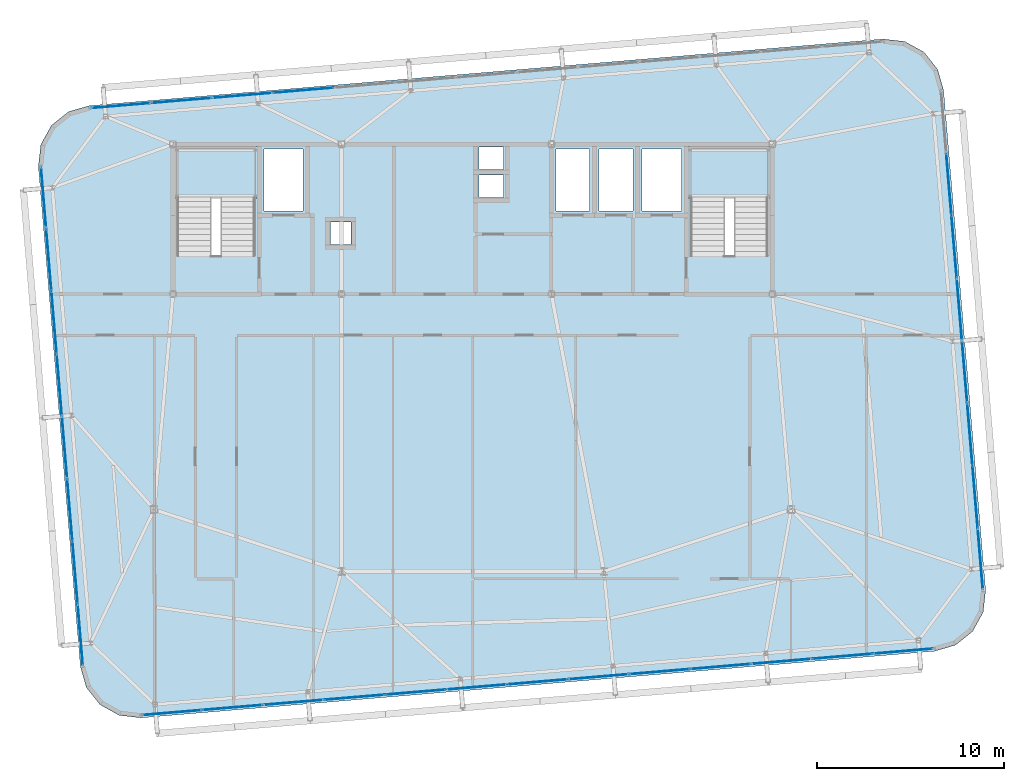
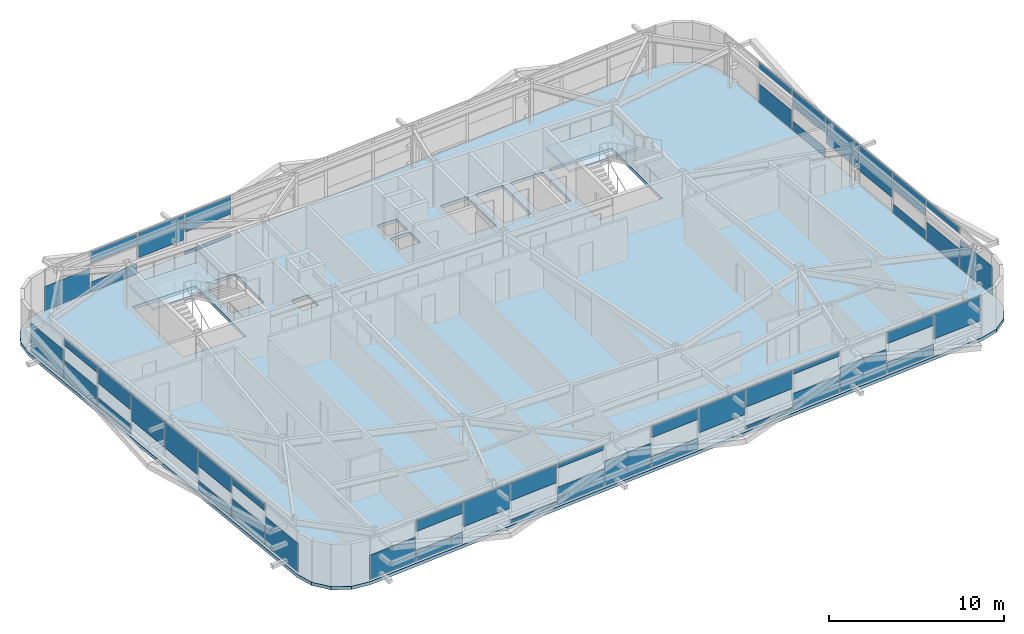
# One storey, part 32 of 46: 49 plates, 3 slabs, 6 elements without a shape of their own.
"""IFC4 building model written with IfcOpenShell, lengths in metres."""

from ifc_helpers import new_model, si_unit, direction, frame, origin, origin_2d, place, context, subcontext, project, spatial, polyline, rectangle, outline, extrude, source, transform, mapped, material, layer, layer_set, type_object, element, aggregate, save


model = new_model("IFC4")

# Units and contexts
model_context = context("Model", 3, precision=1e-05, world=origin(), true_north=direction((0.0, 1.0)))
body_context = subcontext(model_context, "Body", "Model", "MODEL_VIEW")
ifc_project = project(units=[si_unit("LENGTHUNIT", "METRE"), si_unit("AREAUNIT", "SQUARE_METRE"), si_unit("VOLUMEUNIT", "CUBIC_METRE"), si_unit("PLANEANGLEUNIT", "RADIAN"), si_unit("MASSUNIT", "GRAM", prefix="KILO")], contexts=[model_context])

# Site, building, storey
site_placement = place(None, origin())
site = spatial("IfcSite", under=ifc_project, at=site_placement, CompositionType="ELEMENT")
building_placement = place(site_placement, origin())
building = spatial("IfcBuilding", under=site, at=building_placement, Name="Taldren Reach Tower", CompositionType="ELEMENT")
storey_placement = place(building_placement, frame((0.0, 0.0, 194.60009765625)))
storey = spatial("IfcBuildingStorey", under=building, at=storey_placement, Name="L59", CompositionType="ELEMENT", Elevation=194.60009765625)

# Slab
ifc_material_1 = material(Name="Concrete N40 (40 MPa)", Category="concrete")
ifc_layer_1 = layer(ifc_material_1, 0.219970703125)
ifc_layer_set_1 = layer_set([ifc_layer_1], Name="Concrete N40 (40 MPa)")
slab_type_1 = type_object("IfcSlabType", Name="SL-FLR-220", PredefinedType="FLOOR", material=ifc_layer_set_1)
slab_1_placement = place(storey_placement, frame((0.0, 0.0, -0.22021484375)))
element("IfcSlab", 1, at=slab_1_placement, inside=storey, type_object=slab_type_1, Name="Suspended floor slab L59", PredefinedType="FLOOR", context=body_context, shape_type="SweptSolid", body=[
    extrude(outline(polyline([(59.647705078125, 4.935791015625), (60.772705078125, 5.25927734375), (61.688232421875, 5.98876953125), (62.254638671875, 7.012939453125), (62.38623046875, 8.17626953125), (60.1435546875, 34.882080078125), (59.820068359375, 36.007080078125), (59.090576171875, 36.922607421875), (58.06640625, 37.4892578125), (56.903076171875, 37.62060546875), (14.55224609375, 34.064208984375), (13.42724609375, 33.74072265625), (12.511962890625, 33.01123046875), (11.9453125, 31.987060546875), (11.813720703125, 30.82373046875), (14.056396484375, 4.117919921875), (14.3798828125, 2.992919921875), (15.109375, 2.077392578125), (16.1337890625, 1.5107421875), (17.296875, 1.37939453125), (59.647705078125, 4.935791015625)]), holes=[polyline([(19.219970703125, 26.050048828125), (23.3798828125, 26.050048828125), (23.3798828125, 31.820068359375), (19.219970703125, 31.820068359375), (19.219970703125, 26.050048828125)]), polyline([(46.6201171875, 26.050048828125), (50.780029296875, 26.050048828125), (50.780029296875, 31.820068359375), (46.6201171875, 31.820068359375), (46.6201171875, 26.050048828125)]), polyline([(23.85009765625, 28.449951171875), (25.949951171875, 28.449951171875), (25.949951171875, 31.75), (23.85009765625, 31.75), (23.85009765625, 28.449951171875)]), polyline([(44.050048828125, 28.449951171875), (46.14990234375, 28.449951171875), (46.14990234375, 31.75), (44.050048828125, 31.75), (44.050048828125, 28.449951171875)]), polyline([(39.449951171875, 28.449951171875), (41.25, 28.449951171875), (41.25, 31.75), (39.449951171875, 31.75), (39.449951171875, 28.449951171875)]), polyline([(41.75, 28.449951171875), (43.550048828125, 28.449951171875), (43.550048828125, 31.75), (41.75, 31.75), (41.75, 28.449951171875)]), polyline([(35.35009765625, 30.64990234375), (36.64990234375, 30.64990234375), (36.64990234375, 31.85009765625), (35.35009765625, 31.85009765625), (35.35009765625, 30.64990234375)]), polyline([(35.35009765625, 29.14990234375), (36.64990234375, 29.14990234375), (36.64990234375, 30.35009765625), (35.35009765625, 30.35009765625), (35.35009765625, 29.14990234375)]), polyline([(27.39990234375, 26.64990234375), (28.5, 26.64990234375), (28.5, 27.85009765625), (27.39990234375, 27.85009765625), (27.39990234375, 26.64990234375)])]), origin(), (0.0, 0.0, 1.0), 0.22021484375),
])

# Stair, slab
ifc_material_2 = material(Name="Concrete S50 (50 MPa)", Category="concrete")
stair_type = type_object("IfcStairType", Name="ST-HT-315", PredefinedType="HALF_TURN_STAIR", material=ifc_material_2)
stair_1_placement = place(storey_placement, origin())
stair_1 = element("IfcStair", 2, at=stair_1_placement, inside=storey, type_object=stair_type, Name="Fire-isolated exit stair ST1 L59", PredefinedType="HALF_TURN_STAIR")
ifc_layer_2 = layer(ifc_material_2, 0.179931640625)
ifc_layer_set_2 = layer_set([ifc_layer_2], Name="Concrete S50 (50 MPa)")
slab_type_2 = type_object("IfcSlabType", Name="SL-LAND-180", PredefinedType="LANDING", material=ifc_layer_set_2)
slab_2_placement = place(storey_placement, frame((0.0, 0.0, 1.39501953125)))
slab_2 = element("IfcSlab", 3, at=slab_2_placement, type_object=slab_type_2, Name="ST1 landing 1", PredefinedType="LANDING", context=body_context, shape_type="SweptSolid", body=[
    extrude(outline(polyline([(19.0400390625, 29.135009765625), (23.56005859375, 29.135009765625), (23.56005859375, 31.8701171875), (19.0400390625, 31.8701171875), (19.0400390625, 29.135009765625)])), origin(), (0.0, 0.0, 1.0), 0.179931640625),
])
aggregate(stair_1, [slab_2])

stair_2_placement = place(storey_placement, origin())
stair_2 = element("IfcStair", 4, at=stair_2_placement, inside=storey, type_object=stair_type, Name="Fire-isolated exit stair ST2 L59", PredefinedType="HALF_TURN_STAIR")
slab_3_placement = place(storey_placement, frame((0.0, 0.0, 1.39501953125)))
slab_3 = element("IfcSlab", 5, at=slab_3_placement, type_object=slab_type_2, Name="ST2 landing 1", PredefinedType="LANDING", context=body_context, shape_type="SweptSolid", body=[
    extrude(outline(polyline([(46.43994140625, 29.135009765625), (50.9599609375, 29.135009765625), (50.9599609375, 31.8701171875), (46.43994140625, 31.8701171875), (46.43994140625, 29.135009765625)])), origin(), (0.0, 0.0, 1.0), 0.179931640625),
])
aggregate(stair_2, [slab_3])

# Curtain wall, plates
ifc_material_3 = material(Name="Aluminium and Low-E Glass Unitised System", Category="aluminium")
ifc_layer_3 = layer(ifc_material_3, 0.159912109375)
ifc_layer_set_3 = layer_set([ifc_layer_3], Name="Aluminium and Low-E Glass Unitised System")
curtain_wall_type = type_object("IfcCurtainWallType", Name="CW-SYS-5", PredefinedType="NOTDEFINED", material=ifc_layer_set_3)
curtain_wall_1_placement = place(storey_placement, origin())
curtain_wall_1 = element("IfcCurtainWall", 6, at=curtain_wall_1_placement, inside=storey, type_object=curtain_wall_type, Name="Unitised curtain wall CW-L59-S", PredefinedType="NOTDEFINED")
ifc_material_4 = material(Name="Acoustic Triple-Laminated IGU", Category="glass")
ifc_layer_4 = layer(ifc_material_4, 0.035888671875)
ifc_layer_set_4 = layer_set([ifc_layer_4], Name="Acoustic Triple-Laminated IGU")
plate_type = type_object("IfcPlateType", Name="CW-PNL-IGU36", PredefinedType="CURTAIN_PANEL", material=ifc_layer_set_4)
shared_shape_1 = source(origin(), body_context, "Body", "SweptSolid", [
    extrude(rectangle(XDim=3.164306640625, YDim=0.035888671875, at=origin_2d()), origin(), (0.0, 0.0, 1.0), 1.734130859375),
])
plate_1_placement = place(storey_placement, frame((57.98974609375, 4.93701171875, 1.1357421875), z_axis=(0.0, 0.0, 1.0), x_axis=(0.996492854922, 0.083677894865, 0.0)))
plate_1 = element("IfcPlate", 7, at=plate_1_placement, type_object=plate_type, Name="CW-5 panel 13.1 part 1", PredefinedType="CURTAIN_PANEL", context=body_context, shape_type="MappedRepresentation", body=[
    mapped(shared_shape_1, transform((0.0, 0.0, 0.0), scale=1.0)),
])
shared_shape_2 = source(origin(), body_context, "Body", "SweptSolid", [
    extrude(rectangle(XDim=3.19921875, YDim=0.035888671875, at=origin_2d()), origin(), (0.0, 0.0, 1.0), 0.711181640625),
])
plate_2_placement = place(storey_placement, frame((54.74951171875, 4.664794921875, 0.06005859375), z_axis=(0.0, 0.0, 1.0), x_axis=(0.996492854922, 0.083677894865, 0.0)))
plate_2 = element("IfcPlate", 8, at=plate_2_placement, type_object=plate_type, Name="CW-5 panel 12.1 part 1", PredefinedType="CURTAIN_PANEL", context=body_context, shape_type="MappedRepresentation", body=[
    mapped(shared_shape_2, transform((0.0, 0.0, 0.0), scale=1.0)),
])
shared_shape_3 = source(origin(), body_context, "Body", "SweptSolid", [
    extrude(rectangle(XDim=3.19921875, YDim=0.035888671875, at=origin_2d()), origin(), (0.0, 0.0, 1.0), 0.762939453125),
])
plate_3_placement = place(storey_placement, frame((54.74951171875, 4.664794921875, 2.10693359375), z_axis=(0.0, 0.0, 1.0), x_axis=(0.996492854922, 0.083677894865, 0.0)))
plate_3 = element("IfcPlate", 9, at=plate_3_placement, type_object=plate_type, Name="CW-5 panel 12.1 part 2", PredefinedType="CURTAIN_PANEL", context=body_context, shape_type="MappedRepresentation", body=[
    mapped(shared_shape_3, transform((0.0, 0.0, 0.0), scale=1.0)),
])
shared_shape_4 = source(origin(), body_context, "Body", "SweptSolid", [
    extrude(rectangle(XDim=3.19921875, YDim=0.035888671875, at=origin_2d()), origin(), (0.0, 0.0, 1.0), 1.682373046875),
])
plate_4_placement = place(storey_placement, frame((51.49169921875, 4.391357421875, 0.06005859375), z_axis=(0.0, 0.0, 1.0), x_axis=(0.996492854922, 0.083677894865, 0.0)))
plate_4 = element("IfcPlate", 10, at=plate_4_placement, type_object=plate_type, Name="CW-5 panel 11.1 part 1", PredefinedType="CURTAIN_PANEL", context=body_context, shape_type="MappedRepresentation", body=[
    mapped(shared_shape_4, transform((0.0, 0.0, 0.0), scale=1.0)),
])
shared_shape_5 = source(origin(), body_context, "Body", "SweptSolid", [
    extrude(rectangle(XDim=3.19921875, YDim=0.035888671875, at=origin_2d()), origin(), (0.0, 0.0, 1.0), 1.190673828125),
])
plate_5_placement = place(storey_placement, frame((48.23388671875, 4.11767578125, 0.06005859375), z_axis=(0.0, 0.0, 1.0), x_axis=(0.996492854922, 0.083677894865, 0.0)))
plate_5 = element("IfcPlate", 11, at=plate_5_placement, type_object=plate_type, Name="CW-5 panel 10.1 part 1", PredefinedType="CURTAIN_PANEL", context=body_context, shape_type="MappedRepresentation", body=[
    mapped(shared_shape_5, transform((0.0, 0.0, 0.0), scale=1.0)),
])
shared_shape_6 = source(origin(), body_context, "Body", "SweptSolid", [
    extrude(rectangle(XDim=3.19921875, YDim=0.035888671875, at=origin_2d()), origin(), (0.0, 0.0, 1.0), 0.283447265625),
])
plate_6_placement = place(storey_placement, frame((48.23388671875, 4.11767578125, 2.58642578125), z_axis=(0.0, 0.0, 1.0), x_axis=(0.996492854922, 0.083677894865, 0.0)))
plate_6 = element("IfcPlate", 12, at=plate_6_placement, type_object=plate_type, Name="CW-5 panel 10.1 part 2", PredefinedType="CURTAIN_PANEL", context=body_context, shape_type="MappedRepresentation", body=[
    mapped(shared_shape_6, transform((0.0, 0.0, 0.0), scale=1.0)),
])
shared_shape_7 = source(origin(), body_context, "Body", "SweptSolid", [
    extrude(rectangle(XDim=3.19921875, YDim=0.035888671875, at=origin_2d()), origin(), (0.0, 0.0, 1.0), 0.219482421875),
])
plate_7_placement = place(storey_placement, frame((44.97607421875, 3.84423828125, 0.06005859375), z_axis=(0.0, 0.0, 1.0), x_axis=(0.996492854922, 0.083677894865, 0.0)))
plate_7 = element("IfcPlate", 13, at=plate_7_placement, type_object=plate_type, Name="CW-5 panel 9.1 part 1", PredefinedType="CURTAIN_PANEL", context=body_context, shape_type="MappedRepresentation", body=[
    mapped(shared_shape_7, transform((0.0, 0.0, 0.0), scale=1.0)),
])
shared_shape_8 = source(origin(), body_context, "Body", "SweptSolid", [
    extrude(rectangle(XDim=3.19921875, YDim=0.035888671875, at=origin_2d()), origin(), (0.0, 0.0, 1.0), 1.254638671875),
])
plate_8_placement = place(storey_placement, frame((44.97607421875, 3.84423828125, 1.615234375), z_axis=(0.0, 0.0, 1.0), x_axis=(0.996492854922, 0.083677894865, 0.0)))
plate_8 = element("IfcPlate", 14, at=plate_8_placement, type_object=plate_type, Name="CW-5 panel 9.1 part 2", PredefinedType="CURTAIN_PANEL", context=body_context, shape_type="MappedRepresentation", body=[
    mapped(shared_shape_8, transform((0.0, 0.0, 0.0), scale=1.0)),
])
shared_shape_9 = source(origin(), body_context, "Body", "SweptSolid", [
    extrude(rectangle(XDim=3.19921875, YDim=0.035888671875, at=origin_2d()), origin(), (0.0, 0.0, 1.0), 1.73828125),
])
plate_9_placement = place(storey_placement, frame((41.71826171875, 3.570556640625, 1.131591796875), z_axis=(0.0, 0.0, 1.0), x_axis=(0.996492854922, 0.083677894865, 0.0)))
plate_9 = element("IfcPlate", 15, at=plate_9_placement, type_object=plate_type, Name="CW-5 panel 8.1 part 1", PredefinedType="CURTAIN_PANEL", context=body_context, shape_type="MappedRepresentation", body=[
    mapped(shared_shape_9, transform((0.0, 0.0, 0.0), scale=1.0)),
])
shared_shape_10 = source(origin(), body_context, "Body", "SweptSolid", [
    extrude(rectangle(XDim=3.19921875, YDim=0.035888671875, at=origin_2d()), origin(), (0.0, 0.0, 1.0), 0.70703125),
])
plate_10_placement = place(storey_placement, frame((38.460693359375, 3.297119140625, 0.059814453125), z_axis=(0.0, 0.0, 1.0), x_axis=(0.996492854922, 0.083677894865, 0.0)))
plate_10 = element("IfcPlate", 16, at=plate_10_placement, type_object=plate_type, Name="CW-5 panel 7.1 part 1", PredefinedType="CURTAIN_PANEL", context=body_context, shape_type="MappedRepresentation", body=[
    mapped(shared_shape_10, transform((0.0, 0.0, 0.0), scale=1.0)),
])
shared_shape_11 = source(origin(), body_context, "Body", "SweptSolid", [
    extrude(rectangle(XDim=3.19921875, YDim=0.035888671875, at=origin_2d()), origin(), (0.0, 0.0, 1.0), 0.76708984375),
])
plate_11_placement = place(storey_placement, frame((38.460693359375, 3.297119140625, 2.102783203125), z_axis=(0.0, 0.0, 1.0), x_axis=(0.996492854922, 0.083677894865, 0.0)))
plate_11 = element("IfcPlate", 17, at=plate_11_placement, type_object=plate_type, Name="CW-5 panel 7.1 part 2", PredefinedType="CURTAIN_PANEL", context=body_context, shape_type="MappedRepresentation", body=[
    mapped(shared_shape_11, transform((0.0, 0.0, 0.0), scale=1.0)),
])
shared_shape_12 = source(origin(), body_context, "Body", "SweptSolid", [
    extrude(rectangle(XDim=3.19921875, YDim=0.035888671875, at=origin_2d()), origin(), (0.0, 0.0, 1.0), 1.67822265625),
])
plate_12_placement = place(storey_placement, frame((35.202880859375, 3.0234375, 0.059814453125), z_axis=(0.0, 0.0, 1.0), x_axis=(0.996492854922, 0.083677894865, 0.0)))
plate_12 = element("IfcPlate", 18, at=plate_12_placement, type_object=plate_type, Name="CW-5 panel 6.1 part 1", PredefinedType="CURTAIN_PANEL", context=body_context, shape_type="MappedRepresentation", body=[
    mapped(shared_shape_12, transform((0.0, 0.0, 0.0), scale=1.0)),
])
shared_shape_13 = source(origin(), body_context, "Body", "SweptSolid", [
    extrude(rectangle(XDim=3.19921875, YDim=0.035888671875, at=origin_2d()), origin(), (0.0, 0.0, 1.0), 1.194580078125),
])
plate_13_placement = place(storey_placement, frame((31.945068359375, 2.75, 0.06005859375), z_axis=(0.0, 0.0, 1.0), x_axis=(0.996492854922, 0.083677894865, 0.0)))
plate_13 = element("IfcPlate", 19, at=plate_13_placement, type_object=plate_type, Name="CW-5 panel 5.1 part 1", PredefinedType="CURTAIN_PANEL", context=body_context, shape_type="MappedRepresentation", body=[
    mapped(shared_shape_13, transform((0.0, 0.0, 0.0), scale=1.0)),
])
shared_shape_14 = source(origin(), body_context, "Body", "SweptSolid", [
    extrude(rectangle(XDim=3.19921875, YDim=0.035888671875, at=origin_2d()), origin(), (0.0, 0.0, 1.0), 0.279296875),
])
plate_14_placement = place(storey_placement, frame((31.945068359375, 2.75, 2.590576171875), z_axis=(0.0, 0.0, 1.0), x_axis=(0.996492854922, 0.083677894865, 0.0)))
plate_14 = element("IfcPlate", 20, at=plate_14_placement, type_object=plate_type, Name="CW-5 panel 5.1 part 2", PredefinedType="CURTAIN_PANEL", context=body_context, shape_type="MappedRepresentation", body=[
    mapped(shared_shape_14, transform((0.0, 0.0, 0.0), scale=1.0)),
])
shared_shape_15 = source(origin(), body_context, "Body", "SweptSolid", [
    extrude(rectangle(XDim=3.19921875, YDim=0.035888671875, at=origin_2d()), origin(), (0.0, 0.0, 1.0), 0.223388671875),
])
plate_15_placement = place(storey_placement, frame((28.687255859375, 2.476318359375, 0.06005859375), z_axis=(0.0, 0.0, 1.0), x_axis=(0.996492854922, 0.083677894865, 0.0)))
plate_15 = element("IfcPlate", 21, at=plate_15_placement, type_object=plate_type, Name="CW-5 panel 4.1 part 1", PredefinedType="CURTAIN_PANEL", context=body_context, shape_type="MappedRepresentation", body=[
    mapped(shared_shape_15, transform((0.0, 0.0, 0.0), scale=1.0)),
])

# Curtain wall, plate
curtain_wall_2_placement = place(storey_placement, origin())
curtain_wall_2 = element("IfcCurtainWall", 22, at=curtain_wall_2_placement, inside=storey, type_object=curtain_wall_type, Name="Unitised curtain wall CW-L59-N", PredefinedType="NOTDEFINED")
plate_16_placement = place(storey_placement, frame((25.966064453125, 34.88232421875, 0.06005859375), z_axis=(0.0, 0.0, 1.0), x_axis=(-0.99649285657, -0.083677875247, 0.0)))
plate_16 = element("IfcPlate", 23, at=plate_16_placement, type_object=plate_type, Name="CW-5 panel 10.1 part 1", PredefinedType="CURTAIN_PANEL", context=body_context, shape_type="MappedRepresentation", body=[
    mapped(shared_shape_15, transform((0.0, 0.0, 0.0), scale=1.0)),
])

# Plate
shared_shape_16 = source(origin(), body_context, "Body", "SweptSolid", [
    extrude(rectangle(XDim=3.19921875, YDim=0.035888671875, at=origin_2d()), origin(), (0.0, 0.0, 1.0), 1.25048828125),
])
plate_17_placement = place(storey_placement, frame((28.687255859375, 2.476318359375, 1.619384765625), z_axis=(0.0, 0.0, 1.0), x_axis=(0.996492854922, 0.083677894865, 0.0)))
plate_17 = element("IfcPlate", 24, at=plate_17_placement, type_object=plate_type, Name="CW-5 panel 4.1 part 2", PredefinedType="CURTAIN_PANEL", context=body_context, shape_type="MappedRepresentation", body=[
    mapped(shared_shape_16, transform((0.0, 0.0, 0.0), scale=1.0)),
])

plate_18_placement = place(storey_placement, frame((25.966064453125, 34.88232421875, 1.619384765625), z_axis=(0.0, 0.0, 1.0), x_axis=(-0.99649285657, -0.083677875247, 0.0)))
plate_18 = element("IfcPlate", 25, at=plate_18_placement, type_object=plate_type, Name="CW-5 panel 10.1 part 2", PredefinedType="CURTAIN_PANEL", context=body_context, shape_type="MappedRepresentation", body=[
    mapped(shared_shape_16, transform((0.0, 0.0, 0.0), scale=1.0)),
])

shared_shape_17 = source(origin(), body_context, "Body", "SweptSolid", [
    extrude(rectangle(XDim=3.19921875, YDim=0.035888671875, at=origin_2d()), origin(), (0.0, 0.0, 1.0), 1.742431640625),
])
plate_19_placement = place(storey_placement, frame((25.429443359375, 2.202880859375, 1.12744140625), z_axis=(0.0, 0.0, 1.0), x_axis=(0.996492854922, 0.083677894865, 0.0)))
plate_19 = element("IfcPlate", 26, at=plate_19_placement, type_object=plate_type, Name="CW-5 panel 3.1 part 1", PredefinedType="CURTAIN_PANEL", context=body_context, shape_type="MappedRepresentation", body=[
    mapped(shared_shape_17, transform((0.0, 0.0, 0.0), scale=1.0)),
])

plate_20_placement = place(storey_placement, frame((22.708251953125, 34.608642578125, 1.12744140625), z_axis=(0.0, 0.0, 1.0), x_axis=(-0.99649285657, -0.083677875247, 0.0)))
plate_20 = element("IfcPlate", 27, at=plate_20_placement, type_object=plate_type, Name="CW-5 panel 11.1 part 1", PredefinedType="CURTAIN_PANEL", context=body_context, shape_type="MappedRepresentation", body=[
    mapped(shared_shape_17, transform((0.0, 0.0, 0.0), scale=1.0)),
])

shared_shape_18 = source(origin(), body_context, "Body", "SweptSolid", [
    extrude(rectangle(XDim=3.19921875, YDim=0.035888671875, at=origin_2d()), origin(), (0.0, 0.0, 1.0), 0.702880859375),
])
plate_21_placement = place(storey_placement, frame((22.171875, 1.92919921875, 0.06005859375), z_axis=(0.0, 0.0, 1.0), x_axis=(0.996492854922, 0.083677894865, 0.0)))
plate_21 = element("IfcPlate", 28, at=plate_21_placement, type_object=plate_type, Name="CW-5 panel 2.1 part 1", PredefinedType="CURTAIN_PANEL", context=body_context, shape_type="MappedRepresentation", body=[
    mapped(shared_shape_18, transform((0.0, 0.0, 0.0), scale=1.0)),
])

plate_22_placement = place(storey_placement, frame((19.45068359375, 34.335205078125, 0.06005859375), z_axis=(0.0, 0.0, 1.0), x_axis=(-0.99649285657, -0.083677875247, 0.0)))
plate_22 = element("IfcPlate", 29, at=plate_22_placement, type_object=plate_type, Name="CW-5 panel 12.1 part 1", PredefinedType="CURTAIN_PANEL", context=body_context, shape_type="MappedRepresentation", body=[
    mapped(shared_shape_18, transform((0.0, 0.0, 0.0), scale=1.0)),
])

shared_shape_19 = source(origin(), body_context, "Body", "SweptSolid", [
    extrude(rectangle(XDim=3.19921875, YDim=0.035888671875, at=origin_2d()), origin(), (0.0, 0.0, 1.0), 0.771240234375),
])
plate_23_placement = place(storey_placement, frame((22.171875, 1.92919921875, 2.0986328125), z_axis=(0.0, 0.0, 1.0), x_axis=(0.996492854922, 0.083677894865, 0.0)))
plate_23 = element("IfcPlate", 30, at=plate_23_placement, type_object=plate_type, Name="CW-5 panel 2.1 part 2", PredefinedType="CURTAIN_PANEL", context=body_context, shape_type="MappedRepresentation", body=[
    mapped(shared_shape_19, transform((0.0, 0.0, 0.0), scale=1.0)),
])

plate_24_placement = place(storey_placement, frame((19.45068359375, 34.335205078125, 2.0986328125), z_axis=(0.0, 0.0, 1.0), x_axis=(-0.99649285657, -0.083677875247, 0.0)))
plate_24 = element("IfcPlate", 31, at=plate_24_placement, type_object=plate_type, Name="CW-5 panel 12.1 part 2", PredefinedType="CURTAIN_PANEL", context=body_context, shape_type="MappedRepresentation", body=[
    mapped(shared_shape_19, transform((0.0, 0.0, 0.0), scale=1.0)),
])

shared_shape_20 = source(origin(), body_context, "Body", "SweptSolid", [
    extrude(rectangle(XDim=3.164306640625, YDim=0.035888671875, at=origin_2d()), origin(), (0.0, 0.0, 1.0), 1.674072265625),
])
plate_25_placement = place(storey_placement, frame((18.931396484375, 1.6572265625, 0.06005859375), z_axis=(0.0, 0.0, 1.0), x_axis=(0.996492854922, 0.083677894865, 0.0)))
plate_25 = element("IfcPlate", 32, at=plate_25_placement, type_object=plate_type, Name="CW-5 panel 1.1 part 1", PredefinedType="CURTAIN_PANEL", context=body_context, shape_type="MappedRepresentation", body=[
    mapped(shared_shape_20, transform((0.0, 0.0, 0.0), scale=1.0)),
])

aggregate(curtain_wall_1, [plate_25, plate_21, plate_23, plate_19, plate_15, plate_17, plate_13, plate_14, plate_12, plate_10, plate_11, plate_9, plate_7, plate_8, plate_5, plate_6, plate_4, plate_2, plate_3, plate_1])

plate_26_placement = place(storey_placement, frame((16.210205078125, 34.06298828125, 0.06005859375), z_axis=(0.0, 0.0, 1.0), x_axis=(-0.99649285657, -0.083677875247, 0.0)))
plate_26 = element("IfcPlate", 33, at=plate_26_placement, type_object=plate_type, Name="CW-5 panel 13.1 part 1", PredefinedType="CURTAIN_PANEL", context=body_context, shape_type="MappedRepresentation", body=[
    mapped(shared_shape_20, transform((0.0, 0.0, 0.0), scale=1.0)),
])

aggregate(curtain_wall_2, [plate_16, plate_18, plate_20, plate_22, plate_24, plate_26])

# Curtain wall, plates
curtain_wall_3_placement = place(storey_placement, origin())
curtain_wall_3 = element("IfcCurtainWall", 34, at=curtain_wall_3_placement, inside=storey, type_object=curtain_wall_type, Name="Unitised curtain wall CW-L59-W", PredefinedType="NOTDEFINED")
shared_shape_21 = source(origin(), body_context, "Body", "SweptSolid", [
    extrude(rectangle(XDim=3.2451171875, YDim=0.035888671875, at=origin_2d()), origin(), (0.0, 0.0, 1.0), 1.980224609375),
])
plate_27_placement = place(storey_placement, frame((12.094970703125, 29.14892578125, 0.06005859375), z_axis=(0.0, 0.0, 1.0), x_axis=(0.083677979808, -0.996492847789, 0.0)))
plate_27 = element("IfcPlate", 35, at=plate_27_placement, type_object=plate_type, Name="CW-5 panel 1.1 part 1", PredefinedType="CURTAIN_PANEL", context=body_context, shape_type="MappedRepresentation", body=[
    mapped(shared_shape_21, transform((0.0, 0.0, 0.0), scale=1.0)),
])
plate_28_placement = place(storey_placement, frame((14.05419921875, 5.816162109375, 0.06005859375), z_axis=(0.0, 0.0, 1.0), x_axis=(0.083677979808, -0.996492847789, 0.0)))
plate_28 = element("IfcPlate", 36, at=plate_28_placement, type_object=plate_type, Name="CW-5 panel 8.1 part 1", PredefinedType="CURTAIN_PANEL", context=body_context, shape_type="MappedRepresentation", body=[
    mapped(shared_shape_21, transform((0.0, 0.0, 0.0), scale=1.0)),
])

# Curtain wall, plate
curtain_wall_4_placement = place(storey_placement, origin())
curtain_wall_4 = element("IfcCurtainWall", 37, at=curtain_wall_4_placement, inside=storey, type_object=curtain_wall_type, Name="Unitised curtain wall CW-L59-E", PredefinedType="NOTDEFINED")
plate_29_placement = place(storey_placement, frame((62.105224609375, 9.85107421875, 0.06005859375), z_axis=(0.0, 0.0, 1.0), x_axis=(-0.083677979808, 0.996492847789, 0.0)))
plate_29 = element("IfcPlate", 38, at=plate_29_placement, type_object=plate_type, Name="CW-5 panel 1.1 part 1", PredefinedType="CURTAIN_PANEL", context=body_context, shape_type="MappedRepresentation", body=[
    mapped(shared_shape_21, transform((0.0, 0.0, 0.0), scale=1.0)),
])

# Plate
shared_shape_22 = source(origin(), body_context, "Body", "SweptSolid", [
    extrude(rectangle(XDim=3.280029296875, YDim=0.035888671875, at=origin_2d()), origin(), (0.0, 0.0, 1.0), 1.31298828125),
])
plate_30_placement = place(storey_placement, frame((12.373779296875, 25.828125, 0.059814453125), z_axis=(0.0, 0.0, 1.0), x_axis=(0.083677979808, -0.996492847789, 0.0)))
plate_30 = element("IfcPlate", 39, at=plate_30_placement, type_object=plate_type, Name="CW-5 panel 2.1 part 1", PredefinedType="CURTAIN_PANEL", context=body_context, shape_type="MappedRepresentation", body=[
    mapped(shared_shape_22, transform((0.0, 0.0, 0.0), scale=1.0)),
])

plate_31_placement = place(storey_placement, frame((13.775390625, 9.136962890625, 0.059814453125), z_axis=(0.0, 0.0, 1.0), x_axis=(0.083677979808, -0.996492847789, 0.0)))
plate_31 = element("IfcPlate", 40, at=plate_31_placement, type_object=plate_type, Name="CW-5 panel 7.1 part 1", PredefinedType="CURTAIN_PANEL", context=body_context, shape_type="MappedRepresentation", body=[
    mapped(shared_shape_22, transform((0.0, 0.0, 0.0), scale=1.0)),
])

plate_32_placement = place(storey_placement, frame((61.826171875, 13.171875, 0.059814453125), z_axis=(0.0, 0.0, 1.0), x_axis=(-0.083677979808, 0.996492847789, 0.0)))
plate_32 = element("IfcPlate", 41, at=plate_32_placement, type_object=plate_type, Name="CW-5 panel 2.1 part 1", PredefinedType="CURTAIN_PANEL", context=body_context, shape_type="MappedRepresentation", body=[
    mapped(shared_shape_22, transform((0.0, 0.0, 0.0), scale=1.0)),
])

plate_33_placement = place(storey_placement, frame((60.424560546875, 29.863037109375, 0.059814453125), z_axis=(0.0, 0.0, 1.0), x_axis=(-0.083677979808, 0.996492847789, 0.0)))
plate_33 = element("IfcPlate", 42, at=plate_33_placement, type_object=plate_type, Name="CW-5 panel 7.1 part 1", PredefinedType="CURTAIN_PANEL", context=body_context, shape_type="MappedRepresentation", body=[
    mapped(shared_shape_22, transform((0.0, 0.0, 0.0), scale=1.0)),
])

shared_shape_23 = source(origin(), body_context, "Body", "SweptSolid", [
    extrude(rectangle(XDim=3.280029296875, YDim=0.035888671875, at=origin_2d()), origin(), (0.0, 0.0, 1.0), 0.466552734375),
])
plate_34_placement = place(storey_placement, frame((12.373779296875, 25.828125, 2.4033203125), z_axis=(0.0, 0.0, 1.0), x_axis=(0.083677979808, -0.996492847789, 0.0)))
plate_34 = element("IfcPlate", 43, at=plate_34_placement, type_object=plate_type, Name="CW-5 panel 2.1 part 2", PredefinedType="CURTAIN_PANEL", context=body_context, shape_type="MappedRepresentation", body=[
    mapped(shared_shape_23, transform((0.0, 0.0, 0.0), scale=1.0)),
])

plate_35_placement = place(storey_placement, frame((13.775390625, 9.136962890625, 2.4033203125), z_axis=(0.0, 0.0, 1.0), x_axis=(0.083677979808, -0.996492847789, 0.0)))
plate_35 = element("IfcPlate", 44, at=plate_35_placement, type_object=plate_type, Name="CW-5 panel 7.1 part 2", PredefinedType="CURTAIN_PANEL", context=body_context, shape_type="MappedRepresentation", body=[
    mapped(shared_shape_23, transform((0.0, 0.0, 0.0), scale=1.0)),
])

plate_36_placement = place(storey_placement, frame((61.826171875, 13.171875, 2.4033203125), z_axis=(0.0, 0.0, 1.0), x_axis=(-0.083677979808, 0.996492847789, 0.0)))
plate_36 = element("IfcPlate", 45, at=plate_36_placement, type_object=plate_type, Name="CW-5 panel 2.1 part 2", PredefinedType="CURTAIN_PANEL", context=body_context, shape_type="MappedRepresentation", body=[
    mapped(shared_shape_23, transform((0.0, 0.0, 0.0), scale=1.0)),
])

plate_37_placement = place(storey_placement, frame((60.424560546875, 29.863037109375, 2.4033203125), z_axis=(0.0, 0.0, 1.0), x_axis=(-0.083677979808, 0.996492847789, 0.0)))
plate_37 = element("IfcPlate", 46, at=plate_37_placement, type_object=plate_type, Name="CW-5 panel 7.1 part 2", PredefinedType="CURTAIN_PANEL", context=body_context, shape_type="MappedRepresentation", body=[
    mapped(shared_shape_23, transform((0.0, 0.0, 0.0), scale=1.0)),
])

shared_shape_24 = source(origin(), body_context, "Body", "SweptSolid", [
    extrude(rectangle(XDim=3.280029296875, YDim=0.035888671875, at=origin_2d()), origin(), (0.0, 0.0, 1.0), 0.645751953125),
])
plate_38_placement = place(storey_placement, frame((12.654052734375, 22.489990234375, 0.06005859375), z_axis=(0.0, 0.0, 1.0), x_axis=(0.083677979808, -0.996492847789, 0.0)))
plate_38 = element("IfcPlate", 47, at=plate_38_placement, type_object=plate_type, Name="CW-5 panel 3.1 part 1", PredefinedType="CURTAIN_PANEL", context=body_context, shape_type="MappedRepresentation", body=[
    mapped(shared_shape_24, transform((0.0, 0.0, 0.0), scale=1.0)),
])

plate_39_placement = place(storey_placement, frame((13.4951171875, 12.47509765625, 0.06005859375), z_axis=(0.0, 0.0, 1.0), x_axis=(0.083677979808, -0.996492847789, 0.0)))
plate_39 = element("IfcPlate", 48, at=plate_39_placement, type_object=plate_type, Name="CW-5 panel 6.1 part 1", PredefinedType="CURTAIN_PANEL", context=body_context, shape_type="MappedRepresentation", body=[
    mapped(shared_shape_24, transform((0.0, 0.0, 0.0), scale=1.0)),
])

plate_40_placement = place(storey_placement, frame((61.5458984375, 16.510009765625, 0.06005859375), z_axis=(0.0, 0.0, 1.0), x_axis=(-0.083677979808, 0.996492847789, 0.0)))
plate_40 = element("IfcPlate", 49, at=plate_40_placement, type_object=plate_type, Name="CW-5 panel 3.1 part 1", PredefinedType="CURTAIN_PANEL", context=body_context, shape_type="MappedRepresentation", body=[
    mapped(shared_shape_24, transform((0.0, 0.0, 0.0), scale=1.0)),
])

plate_41_placement = place(storey_placement, frame((60.705078125, 26.52490234375, 0.06005859375), z_axis=(0.0, 0.0, 1.0), x_axis=(-0.083677979808, 0.996492847789, 0.0)))
plate_41 = element("IfcPlate", 50, at=plate_41_placement, type_object=plate_type, Name="CW-5 panel 6.1 part 1", PredefinedType="CURTAIN_PANEL", context=body_context, shape_type="MappedRepresentation", body=[
    mapped(shared_shape_24, transform((0.0, 0.0, 0.0), scale=1.0)),
])

shared_shape_25 = source(origin(), body_context, "Body", "SweptSolid", [
    extrude(rectangle(XDim=3.280029296875, YDim=0.035888671875, at=origin_2d()), origin(), (0.0, 0.0, 1.0), 1.134033203125),
])
plate_42_placement = place(storey_placement, frame((12.654052734375, 22.489990234375, 1.73583984375), z_axis=(0.0, 0.0, 1.0), x_axis=(0.083677979808, -0.996492847789, 0.0)))
plate_42 = element("IfcPlate", 51, at=plate_42_placement, type_object=plate_type, Name="CW-5 panel 3.1 part 2", PredefinedType="CURTAIN_PANEL", context=body_context, shape_type="MappedRepresentation", body=[
    mapped(shared_shape_25, transform((0.0, 0.0, 0.0), scale=1.0)),
])

plate_43_placement = place(storey_placement, frame((13.4951171875, 12.47509765625, 1.73583984375), z_axis=(0.0, 0.0, 1.0), x_axis=(0.083677979808, -0.996492847789, 0.0)))
plate_43 = element("IfcPlate", 52, at=plate_43_placement, type_object=plate_type, Name="CW-5 panel 6.1 part 2", PredefinedType="CURTAIN_PANEL", context=body_context, shape_type="MappedRepresentation", body=[
    mapped(shared_shape_25, transform((0.0, 0.0, 0.0), scale=1.0)),
])

plate_44_placement = place(storey_placement, frame((61.5458984375, 16.510009765625, 1.73583984375), z_axis=(0.0, 0.0, 1.0), x_axis=(-0.083677979808, 0.996492847789, 0.0)))
plate_44 = element("IfcPlate", 53, at=plate_44_placement, type_object=plate_type, Name="CW-5 panel 3.1 part 2", PredefinedType="CURTAIN_PANEL", context=body_context, shape_type="MappedRepresentation", body=[
    mapped(shared_shape_25, transform((0.0, 0.0, 0.0), scale=1.0)),
])

plate_45_placement = place(storey_placement, frame((60.705078125, 26.52490234375, 1.73583984375), z_axis=(0.0, 0.0, 1.0), x_axis=(-0.083677979808, 0.996492847789, 0.0)))
plate_45 = element("IfcPlate", 54, at=plate_45_placement, type_object=plate_type, Name="CW-5 panel 6.1 part 2", PredefinedType="CURTAIN_PANEL", context=body_context, shape_type="MappedRepresentation", body=[
    mapped(shared_shape_25, transform((0.0, 0.0, 0.0), scale=1.0)),
])

shared_shape_26 = source(origin(), body_context, "Body", "SweptSolid", [
    extrude(rectangle(XDim=3.280029296875, YDim=0.035888671875, at=origin_2d()), origin(), (0.0, 0.0, 1.0), 1.80126953125),
])
plate_46_placement = place(storey_placement, frame((12.934326171875, 19.151611328125, 1.068603515625), z_axis=(0.0, 0.0, 1.0), x_axis=(0.083677979808, -0.996492847789, 0.0)))
plate_46 = element("IfcPlate", 55, at=plate_46_placement, type_object=plate_type, Name="CW-5 panel 4.1 part 1", PredefinedType="CURTAIN_PANEL", context=body_context, shape_type="MappedRepresentation", body=[
    mapped(shared_shape_26, transform((0.0, 0.0, 0.0), scale=1.0)),
])

plate_47_placement = place(storey_placement, frame((13.214599609375, 15.8134765625, 1.068603515625), z_axis=(0.0, 0.0, 1.0), x_axis=(0.083677979808, -0.996492847789, 0.0)))
plate_47 = element("IfcPlate", 56, at=plate_47_placement, type_object=plate_type, Name="CW-5 panel 5.1 part 1", PredefinedType="CURTAIN_PANEL", context=body_context, shape_type="MappedRepresentation", body=[
    mapped(shared_shape_26, transform((0.0, 0.0, 0.0), scale=1.0)),
])

aggregate(curtain_wall_3, [plate_27, plate_30, plate_34, plate_38, plate_42, plate_46, plate_47, plate_39, plate_43, plate_31, plate_35, plate_28])

plate_48_placement = place(storey_placement, frame((61.265625, 19.848388671875, 1.068603515625), z_axis=(0.0, 0.0, 1.0), x_axis=(-0.083677979808, 0.996492847789, 0.0)))
plate_48 = element("IfcPlate", 57, at=plate_48_placement, type_object=plate_type, Name="CW-5 panel 4.1 part 1", PredefinedType="CURTAIN_PANEL", context=body_context, shape_type="MappedRepresentation", body=[
    mapped(shared_shape_26, transform((0.0, 0.0, 0.0), scale=1.0)),
])

plate_49_placement = place(storey_placement, frame((60.9853515625, 23.1865234375, 1.068603515625), z_axis=(0.0, 0.0, 1.0), x_axis=(-0.083677979808, 0.996492847789, 0.0)))
plate_49 = element("IfcPlate", 58, at=plate_49_placement, type_object=plate_type, Name="CW-5 panel 5.1 part 1", PredefinedType="CURTAIN_PANEL", context=body_context, shape_type="MappedRepresentation", body=[
    mapped(shared_shape_26, transform((0.0, 0.0, 0.0), scale=1.0)),
])

aggregate(curtain_wall_4, [plate_29, plate_32, plate_36, plate_40, plate_44, plate_48, plate_49, plate_41, plate_45, plate_33, plate_37])

save(model, "model.ifc")
